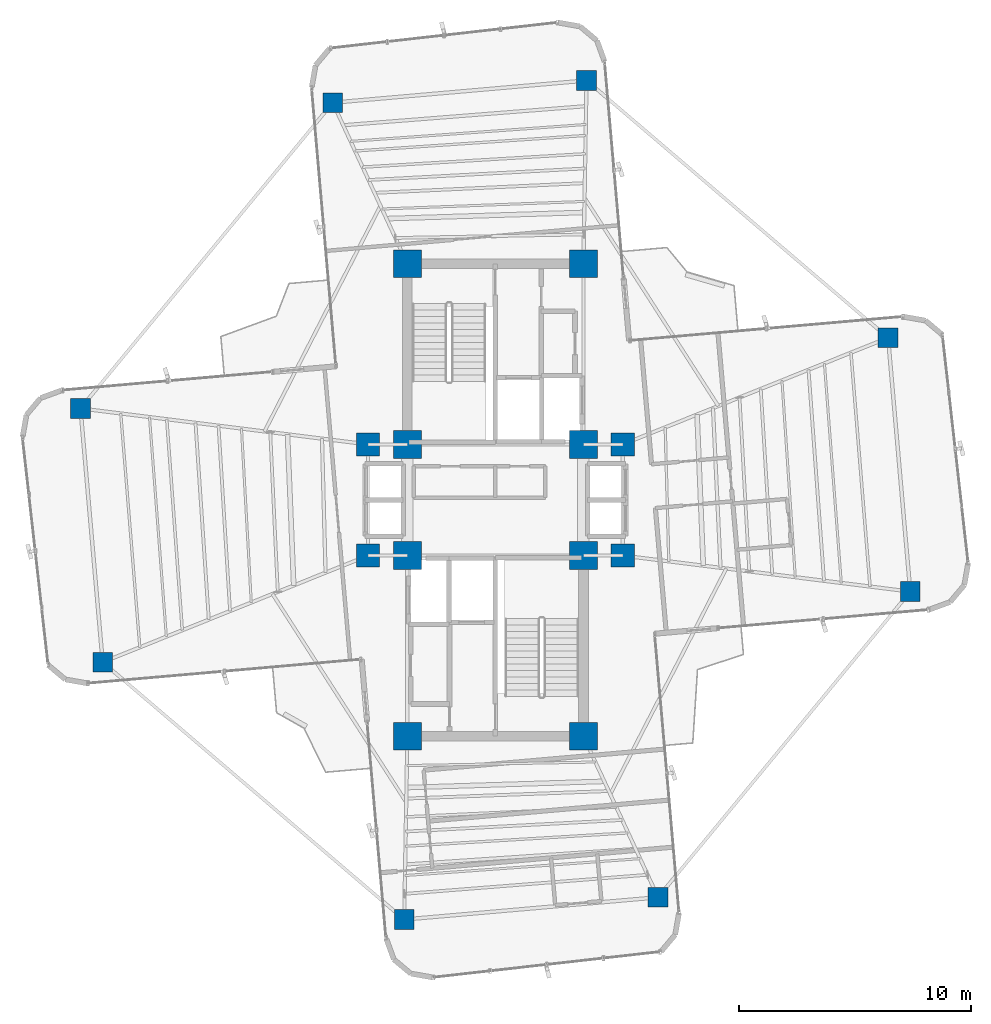
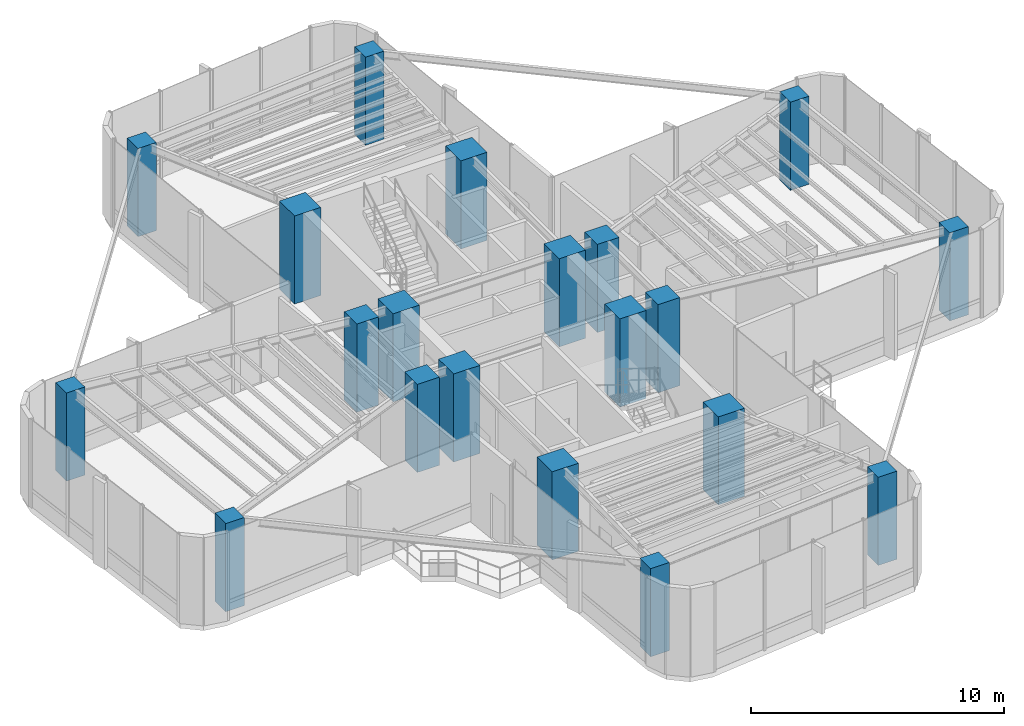
# One storey, part 1 of 19: 20 columns.
"""IFC4 building model written with IfcOpenShell, lengths in metres."""

from ifc_helpers import new_model, si_unit, direction, frame, origin, origin_2d, place, context, subcontext, project, spatial, rectangle, extrude, source, transform, mapped, material, material_profile, profile_set, type_object, element, save


model = new_model("IFC4")

# Units and contexts
model_context = context("Model", 3, precision=1e-05, world=origin(), true_north=direction((0.0, 1.0)))
body_context = subcontext(model_context, "Body", "Model", "MODEL_VIEW")
ifc_project = project(units=[si_unit("LENGTHUNIT", "METRE"), si_unit("AREAUNIT", "SQUARE_METRE"), si_unit("VOLUMEUNIT", "CUBIC_METRE"), si_unit("PLANEANGLEUNIT", "RADIAN"), si_unit("MASSUNIT", "GRAM", prefix="KILO")], contexts=[model_context])

# Site, building, storey
site_placement = place(None, origin())
site = spatial("IfcSite", under=ifc_project, at=site_placement, CompositionType="ELEMENT")
building_placement = place(site_placement, origin())
building = spatial("IfcBuilding", under=site, at=building_placement, Name="Sahyath Konkavel Grand Hotel", CompositionType="ELEMENT")
storey_placement = place(building_placement, frame((0.0, 0.0, 170.699951171875)))
storey = spatial("IfcBuildingStorey", under=building, at=storey_placement, Name="L47", CompositionType="ELEMENT", Elevation=170.699951171875)

# Columns
ifc_material_1 = material(Name="Concrete C50/60", Category="concrete")
ifc_material_profile_1 = material_profile(ifc_material_1, rectangle(XDim=1.199951171875, YDim=1.199951171875, at=origin_2d()), Name="RC 1200x1200")
ifc_profile_set_1 = profile_set([ifc_material_profile_1], Name="Concrete C50/60")
column_type_1 = type_object("IfcColumnType", Name="COL-RC1200", PredefinedType="COLUMN", material=ifc_profile_set_1)
shared_shape_1 = source(origin(), body_context, "Body", "SweptSolid", [
    extrude(rectangle(XDim=1.199951171875, YDim=1.199951171875, at=origin_2d()), origin(), (0.0, 0.0, 1.0), 4.260009765625),
])
for number, where, z_axis, x_axis, name in (
    (1, (-3.800048828125, 2.39990234375, 0.0), (0.0, 0.0, 1.0), (1.0, 0.0, 0.0), "L47 Core Boundary Column NC-SW"),
    (2, (3.800048828125, 2.39990234375, 0.0), (0.0, 0.0, 1.0), (1.0, 0.0, 0.0), "L47 Core Boundary Column NC-SE"),
    (3, (-3.800048828125, 10.199951171875, 0.0), (0.0, 0.0, 1.0), (1.0, 0.0, 0.0), "L47 Core Boundary Column NC-NW"),
    (4, (3.800048828125, 10.199951171875, 0.0), (0.0, 0.0, 1.0), (1.0, 0.0, 0.0), "L47 Core Boundary Column NC-NE"),
    (5, (-3.800048828125, -2.39990234375, 0.0), (0.0, 0.0, 1.0), (1.0, 0.0, 0.0), "L47 Core Boundary Column SC-NW"),
    (6, (3.800048828125, -2.39990234375, 0.0), (0.0, 0.0, 1.0), (1.0, 0.0, 0.0), "L47 Core Boundary Column SC-NE"),
    (7, (-3.800048828125, -10.199951171875, 0.0), (0.0, 0.0, 1.0), (1.0, 0.0, 0.0), "L47 Core Boundary Column SC-SW"),
    (8, (3.800048828125, -10.199951171875, 0.0), (0.0, 0.0, 1.0), (1.0, 0.0, 0.0), "L47 Core Boundary Column SC-SE"),
):
    element("IfcColumn", number, at=place(storey_placement, frame(where, z_axis=z_axis, x_axis=x_axis)), inside=storey, type_object=column_type_1, Name=name, PredefinedType="COLUMN", context=body_context, shape_type="MappedRepresentation", body=[
        mapped(shared_shape_1, transform((0.0, 0.0, 0.0), scale=1.0)),
    ])
ifc_material_profile_2 = material_profile(ifc_material_1, rectangle(XDim=1.0, YDim=1.0, at=origin_2d()), Name="RC 1000x1000")
ifc_profile_set_2 = profile_set([ifc_material_profile_2], Name="Concrete C50/60")
column_type_2 = type_object("IfcColumnType", Name="COL-RC1000", PredefinedType="COLUMN", material=ifc_profile_set_2)
shared_shape_2 = source(origin(), body_context, "Body", "SweptSolid", [
    extrude(rectangle(XDim=1.0, YDim=1.0, at=origin_2d()), origin(), (0.0, 0.0, 1.0), 4.260009765625),
])
for number, where, z_axis, x_axis, name in (
    (9, (5.5, 2.39990234375, 0.0), (0.0, 0.0, 1.0), (1.0, 0.0, 0.0), "L47 Central Spine Column HB-NE"),
    (10, (-5.5, 2.39990234375, 0.0), (0.0, 0.0, 1.0), (1.0, 0.0, 0.0), "L47 Central Spine Column HB-NW"),
    (11, (5.5, -2.39990234375, 0.0), (0.0, 0.0, 1.0), (1.0, 0.0, 0.0), "L47 Central Spine Column HB-SE"),
    (12, (-5.5, -2.39990234375, 0.0), (0.0, 0.0, 1.0), (1.0, 0.0, 0.0), "L47 Central Spine Column HB-SW"),
):
    element("IfcColumn", number, at=place(storey_placement, frame(where, z_axis=z_axis, x_axis=x_axis)), inside=storey, type_object=column_type_2, Name=name, PredefinedType="COLUMN", context=body_context, shape_type="MappedRepresentation", body=[
        mapped(shared_shape_2, transform((0.0, 0.0, 0.0), scale=1.0)),
    ])
ifc_material_2 = material(Name="Concrete C40/50", Category="concrete")
ifc_material_profile_3 = material_profile(ifc_material_2, rectangle(XDim=0.85009765625, YDim=0.85009765625, at=origin_2d()), Name="RC 850x850")
ifc_profile_set_3 = profile_set([ifc_material_profile_3], Name="Concrete C40/50")
column_type_3 = type_object("IfcColumnType", Name="COL-RC850", PredefinedType="COLUMN", material=ifc_profile_set_3)
shared_shape_3 = source(origin(), body_context, "Body", "SweptSolid", [
    extrude(rectangle(XDim=0.85009765625, YDim=0.85009765625, at=origin_2d()), origin(), (0.0, 0.0, 1.0), 4.260009765625),
])
for number, where, z_axis, x_axis, name in (
    (13, (17.912841796875, -3.953857421875, 0.0), (0.0, 0.0, 1.0), (1.0, 0.0, 0.0), "L47 Cruciform Wing Column WC-EA"),
    (14, (16.9541015625, 7.00439453125, 0.0), (0.0, 0.0, 1.0), (1.0, 0.0, 0.0), "L47 Cruciform Wing Column WC-EB"),
    (15, (3.936279296875, 18.112060546875, 0.0), (0.0, 0.0, 1.0), (1.0, 0.0, 0.0), "L47 Cruciform Wing Column WC-NA"),
    (16, (-7.021728515625, 17.1533203125, 0.0), (0.0, 0.0, 1.0), (1.0, 0.0, 0.0), "L47 Cruciform Wing Column WC-NB"),
    (17, (-17.912841796875, 3.953857421875, 0.0), (0.0, 0.0, 1.0), (1.0, 0.0, 0.0), "L47 Cruciform Wing Column WC-WA"),
    (18, (-16.9541015625, -7.00439453125, 0.0), (0.0, 0.0, 1.0), (1.0, 0.0, 0.0), "L47 Cruciform Wing Column WC-WB"),
    (19, (-3.936279296875, -18.112060546875, 0.0), (0.0, 0.0, 1.0), (1.0, 0.0, 0.0), "L47 Cruciform Wing Column WC-SA"),
    (20, (7.021728515625, -17.1533203125, 0.0), (0.0, 0.0, 1.0), (1.0, 0.0, 0.0), "L47 Cruciform Wing Column WC-SB"),
):
    element("IfcColumn", number, at=place(storey_placement, frame(where, z_axis=z_axis, x_axis=x_axis)), inside=storey, type_object=column_type_3, Name=name, PredefinedType="COLUMN", context=body_context, shape_type="MappedRepresentation", body=[
        mapped(shared_shape_3, transform((0.0, 0.0, 0.0), scale=1.0)),
    ])

save(model, "model.ifc")
